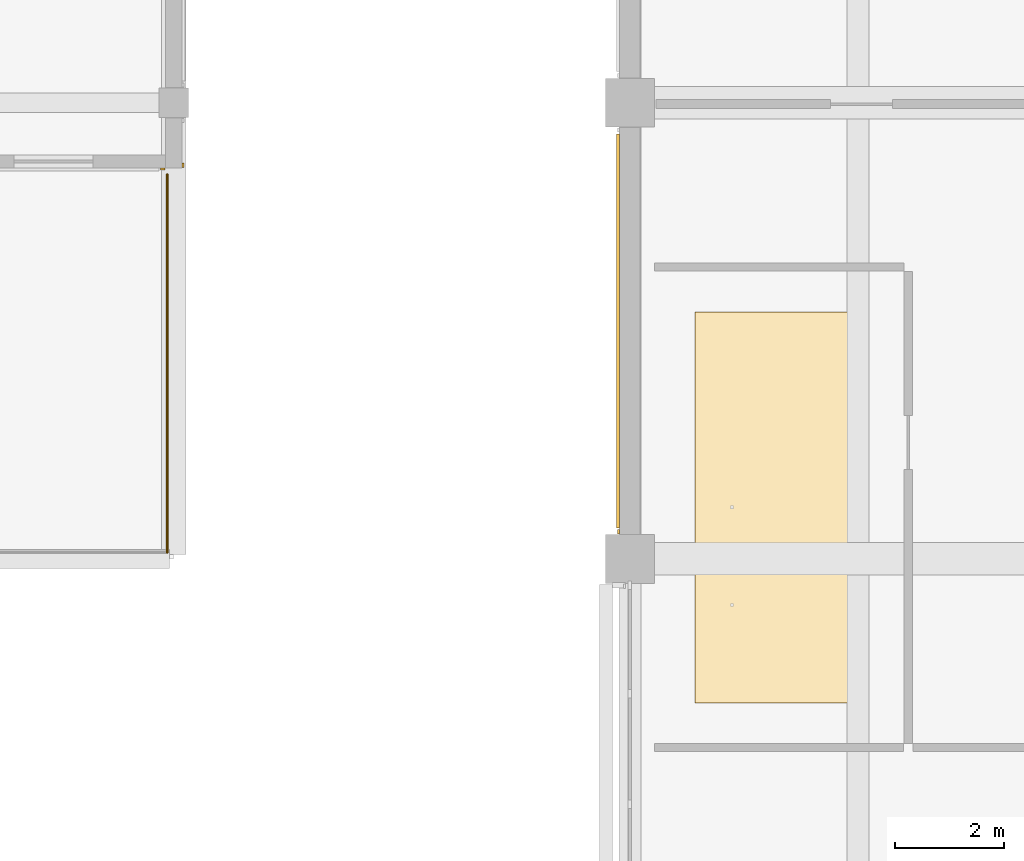
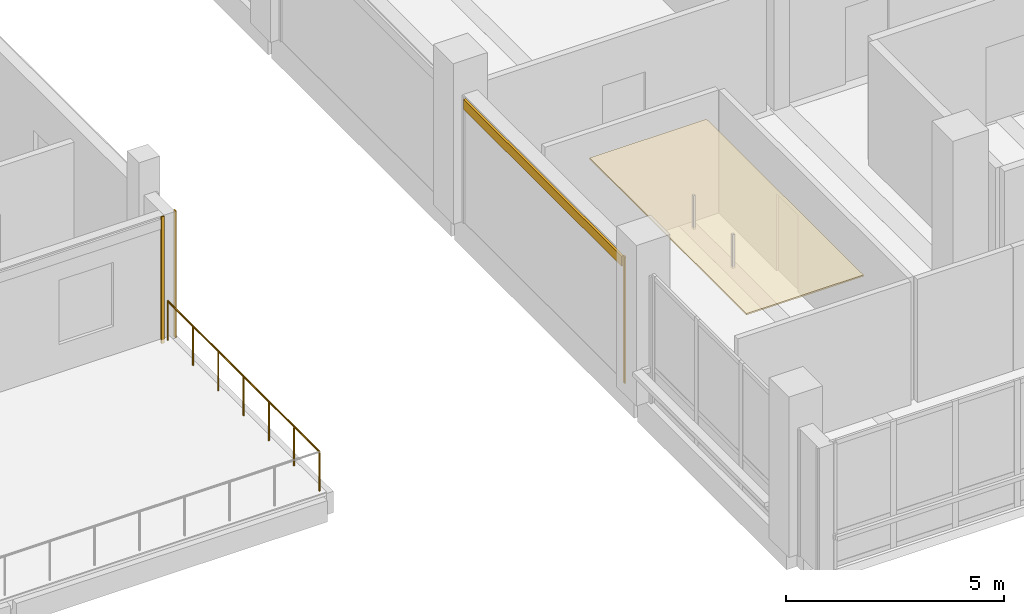
# One storey, part 42 of 59: 5 coverings, 1 railing.
"""IFC4 building model written with IfcOpenShell, lengths in metres."""

from ifc_helpers import new_model, si_unit, direction, frame, origin, origin_2d, place, context, subcontext, project, spatial, polyline, rectangle, circle, outline, extrude, material, layer, layer_set, type_object, element, save


model = new_model("IFC4")

# Units and contexts
model_context = context("Model", 3, precision=1e-05, world=origin(), true_north=direction((0.0, 1.0)))
body_context = subcontext(model_context, "Body", "Model", "MODEL_VIEW")
ifc_project = project(units=[si_unit("LENGTHUNIT", "METRE"), si_unit("AREAUNIT", "SQUARE_METRE"), si_unit("VOLUMEUNIT", "CUBIC_METRE"), si_unit("PLANEANGLEUNIT", "RADIAN"), si_unit("MASSUNIT", "GRAM", prefix="KILO")], contexts=[model_context])

# Site, building, storey
site_placement = place(None, origin())
site = spatial("IfcSite", under=ifc_project, at=site_placement, CompositionType="ELEMENT")
building_placement = place(site_placement, origin())
building = spatial("IfcBuilding", under=site, at=building_placement, Name="Telukmera Botanical Conservatory", CompositionType="ELEMENT")
storey_placement = place(building_placement, frame((0.0, 0.0, 15.0)))
storey = spatial("IfcBuildingStorey", under=building, at=storey_placement, Name="L03", CompositionType="ELEMENT", Elevation=15.0)

# Covering
ifc_material_1 = material(Name="Perforated gypsum acoustic ceiling")
ifc_layer_1 = layer(ifc_material_1, 0.0400390625)
ifc_layer_set_1 = layer_set([ifc_layer_1], Name="Perforated gypsum acoustic ceiling")
covering_type_1 = type_object("IfcCoveringType", Name="COV-CEIL-40", PredefinedType="CEILING", material=ifc_layer_set_1)
covering_1_placement = place(storey_placement, frame((0.0, 0.0, 3.31005859375)))
element("IfcCovering", 1, at=covering_1_placement, inside=storey, type_object=covering_type_1, Name="L03 West Herbarium Curation Studio Suspended Acoustic Ceiling", PredefinedType="CEILING", context=body_context, shape_type="SweptSolid", body=[
    extrude(outline(polyline([(51.60009765625, 14.949951171875), (54.699951171875, 14.949951171875), (54.699951171875, 22.14990234375), (51.60009765625, 22.14990234375), (51.60009765625, 14.949951171875)])), origin(), (0.0, 0.0, 1.0), 0.0400390625),
])

# Railing
ifc_material_2 = material(Name="Brushed stainless steel grade 316", Category="steel")
railing_type = type_object("IfcRailingType", Name="Exterior Terrace Safety Guardrail 1100", PredefinedType="GUARDRAIL", material=ifc_material_2)
railing_placement = place(storey_placement, frame((41.8798828125, 17.719970703125, 0.110107421875)))
element("IfcRailing", 2, at=railing_placement, inside=storey, type_object=railing_type, Name="Visitor Planted Terrace Guardrail L03 ES", PredefinedType="GUARDRAIL", context=body_context, shape_type="SweptSolid", body=[
    extrude(circle(Radius=0.02392578125, at=origin_2d()), frame((0.0, 0.0, 1.09619140625), z_axis=(0.0, 1.0, 0.0), x_axis=(-1.0, 0.0, 0.0)), (0.0, 0.0, 1.0), 6.9599609375),
    extrude(circle(Radius=0.02099609375, at=origin_2d()), origin(), (0.0, 0.0, 1.0), 1.072021484375),
    extrude(circle(Radius=0.02099609375, at=origin_2d()), frame((0.0, 1.159912109375, 0.0)), (0.0, 0.0, 1.0), 1.072021484375),
    extrude(circle(Radius=0.02099609375, at=origin_2d()), frame((0.0, 2.320068359375, 0.0)), (0.0, 0.0, 1.0), 1.072021484375),
    extrude(circle(Radius=0.02099609375, at=origin_2d()), frame((0.0, 3.47998046875, 0.0)), (0.0, 0.0, 1.0), 1.072021484375),
    extrude(circle(Radius=0.02099609375, at=origin_2d()), frame((0.0, 4.639892578125, 0.0)), (0.0, 0.0, 1.0), 1.072021484375),
    extrude(circle(Radius=0.02099609375, at=origin_2d()), frame((0.0, 5.800048828125, 0.0)), (0.0, 0.0, 1.0), 1.072021484375),
    extrude(circle(Radius=0.02099609375, at=origin_2d()), frame((0.0, 6.9599609375, 0.0)), (0.0, 0.0, 1.0), 1.072021484375),
])

# Coverings
ifc_material_3 = material(Name="Granite-faced precast concrete C40/50", Category="masonry")
ifc_layer_2 = layer(ifc_material_3, 0.0400390625)
ifc_layer_set_2 = layer_set([ifc_layer_2], Name="Granite-faced precast concrete C40/50")
covering_type_2 = type_object("IfcCoveringType", Name="Granite Precast Column Pier Reveal Casing", PredefinedType="CLADDING", material=ifc_layer_set_2)
for number, where, z_axis, x_axis, name in (
    (3, (42.169921875, 24.85009765625, 0.0), (0.0, 0.0, 1.0), (0.0, 1.0, 0.0), "Granite Pier Reveal V3:L03:SEC L"),
    (4, (41.798095703125, 24.780029296875, 0.0), (0.0, 0.0, 1.0), (1.0, 0.0, 0.0), "Granite Pier Reveal V3:L03:S2 R"),
    (5, (50.18994140625, 18.10205078125, 0.0), (0.0, 0.0, 1.0), (0.0, 1.0, 0.0), "Granite Pier Reveal V4:L03:W2 L"),
):
    element("IfcCovering", number, at=place(storey_placement, frame(where, z_axis=z_axis, x_axis=x_axis)), inside=storey, type_object=covering_type_2, Name=name, PredefinedType="CLADDING", context=body_context, shape_type="SweptSolid", body=[
        extrude(rectangle(XDim=0.080078125, YDim=0.0400390625, at=origin_2d()), origin(), (0.0, 0.0, 1.0), 3.550048828125),
    ])
ifc_material_4 = material(Name="Terracotta-faced precast concrete C40/50", Category="masonry")
ifc_layer_3 = layer(ifc_material_4, 0.06005859375)
ifc_layer_set_3 = layer_set([ifc_layer_3], Name="Terracotta-faced precast concrete C40/50")
covering_type_3 = type_object("IfcCoveringType", Name="Polychrome Terracotta Facade Band Cladding", PredefinedType="CLADDING", material=ifc_layer_set_3)
covering_2_placement = place(storey_placement, frame((50.179931640625, 21.800048828125, 3.22998046875), z_axis=(0.0, 0.0, 1.0), x_axis=(0.0, 1.0, 0.0)))
element("IfcCovering", 6, at=covering_2_placement, inside=storey, type_object=covering_type_3, Name="Polychrome Terracotta Band V4:L03:W2", PredefinedType="CLADDING", context=body_context, shape_type="SweptSolid", body=[
    extrude(rectangle(XDim=7.256103515625, YDim=0.06005859375, at=origin_2d()), origin(), (0.0, 0.0, 1.0), 0.280029296875),
])

save(model, "model.ifc")
